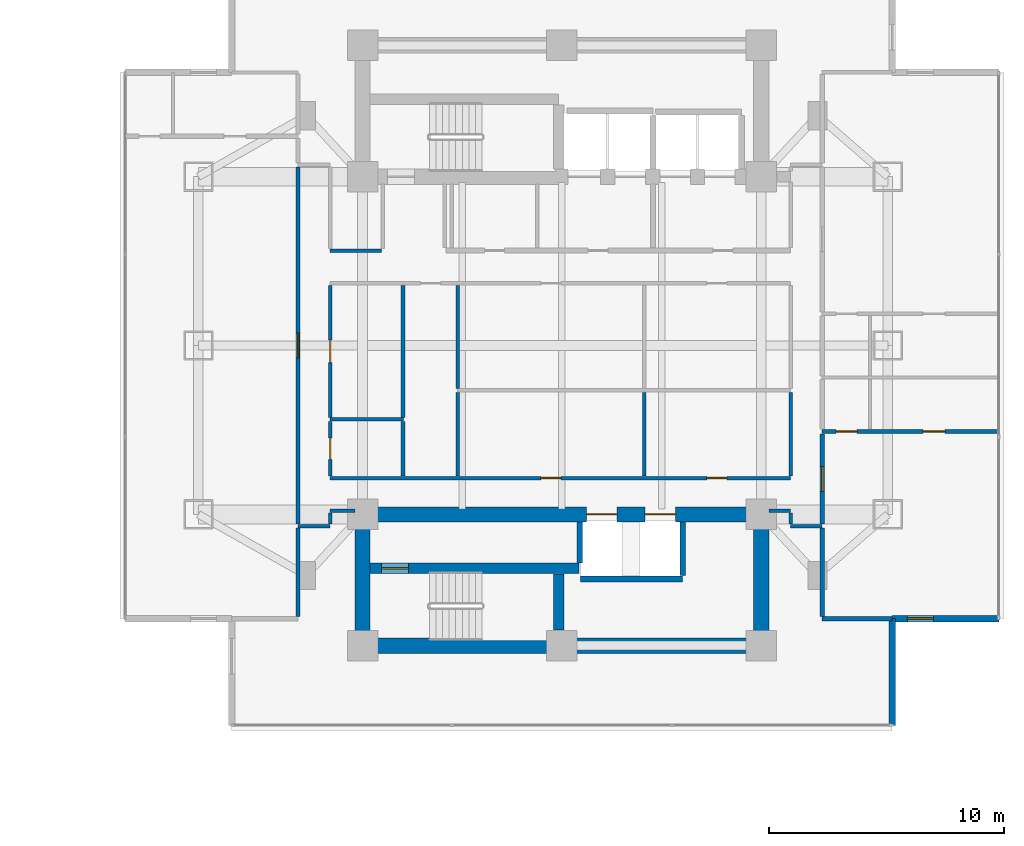
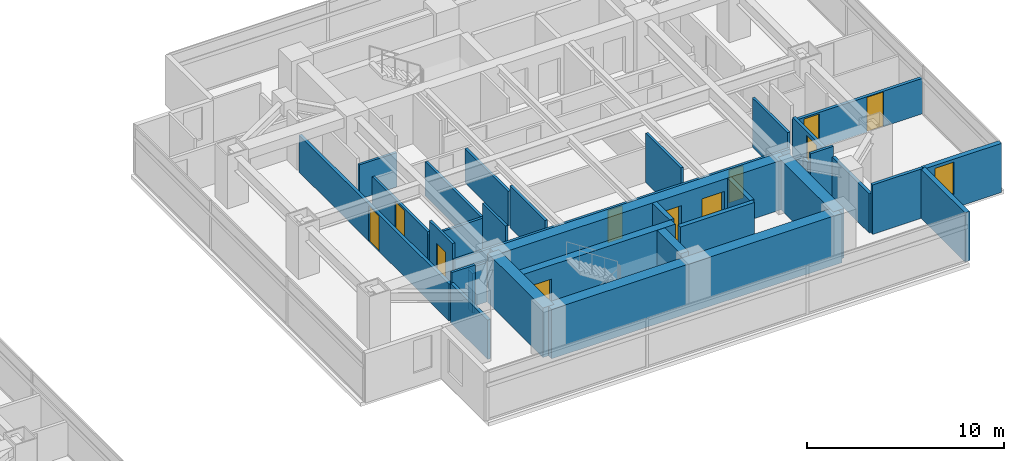
# One storey, part 17 of 24: 34 walls, 11 doors, 1 window, 12 openings.
"""IFC4 building model written with IfcOpenShell, lengths in metres."""

import ifcopenshell
import ifcopenshell.guid

model = None  # the IFC model being written
_history = None  # IfcOwnerHistory: only IFC2X3 demands one
_inside = {}  # id of a spatial element -> (the spatial element, [elements in it])
_under = {}  # id of a project, library or spatial element -> (it, [spatial elements below it])
_declared = {}  # id of a project -> (the project, [libraries it declares])
_typed = {}  # id of a type object -> (the type object, [elements of that type])
_made_of = {}  # id of a material, layer set ... -> (it, [elements and type objects made of it])


def new_model(schema):
    """Start an empty IFC model of exactly this schema.

    Asked for "IFC4X3", IfcOpenShell would pick the latest addendum, in which some entities
    have other attributes; the version numbers below select the first issue.
    IFC2X3 requires an IfcOwnerHistory on every rooted entity: one is made here for all.
    """
    global model, _history
    if schema == "IFC4X3":
        model = ifcopenshell.file(schema_version=(4, 3, 0, 0))
    else:
        model = ifcopenshell.file(schema=schema)
    _inside.clear()
    _under.clear()
    _declared.clear()
    _typed.clear()
    _made_of.clear()
    _history = None
    if model.schema == "IFC2X3":
        org = make("IfcOrganization", Name="unknown")
        user = make(
            "IfcPersonAndOrganization",
            ThePerson=make("IfcPerson", FamilyName="unknown"),
            TheOrganization=org,
        )
        app = make(
            "IfcApplication",
            ApplicationDeveloper=org,
            Version="unknown",
            ApplicationFullName="unknown",
            ApplicationIdentifier="unknown",
        )
        _history = make(
            "IfcOwnerHistory",
            OwningUser=user,
            OwningApplication=app,
            ChangeAction="ADDED",
            CreationDate=0,
        )
    return model


def make(cls, **values):
    """One entity of the class cls with the attributes given. An attribute that is None is left unset."""
    return model.create_entity(
        cls, **{name: value for name, value in values.items() if value is not None}
    )


def rooted(cls, **values):
    """An entity with a GlobalId (a new one), such as an element, a storey or a relation."""
    return make(cls, GlobalId=ifcopenshell.guid.new(), OwnerHistory=_history, **values)


def si_unit(unit_type, name, prefix=None):
    """IfcSIUnit, for example si_unit("LENGTHUNIT", "METRE", prefix="MILLI")."""
    return make("IfcSIUnit", UnitType=unit_type, Prefix=prefix, Name=name)


def assignment(units):
    """IfcUnitAssignment: the units of a project."""
    return None if units is None else make("IfcUnitAssignment", Units=units)


def point(xyz):
    """IfcCartesianPoint."""
    return None if xyz is None else make("IfcCartesianPoint", Coordinates=xyz)


def direction(xyz):
    """IfcDirection."""
    return None if xyz is None else make("IfcDirection", DirectionRatios=xyz)


def frame(location, z_axis=None, x_axis=None):
    """IfcAxis2Placement3D, a coordinate frame: its origin and axes. An axis left out is left unset."""
    return make(
        "IfcAxis2Placement3D",
        Location=point(location),
        Axis=direction(z_axis),
        RefDirection=direction(x_axis),
    )


def frame_2d(location, x_axis=None):
    """IfcAxis2Placement2D, a coordinate frame in the plane: its origin and x axis."""
    return make(
        "IfcAxis2Placement2D", Location=point(location), RefDirection=direction(x_axis)
    )


def origin():
    """The frame at (0, 0, 0) with its axes left unset."""
    return frame((0.0, 0.0, 0.0))


def place(relative_to, where):
    """IfcLocalPlacement: puts the frame where relative to a parent placement (None: the world)."""
    return make(
        "IfcLocalPlacement", PlacementRelTo=relative_to, RelativePlacement=where
    )


def context(
    kind, dimensions, precision=None, world=None, true_north=None, identifier=None
):
    """IfcGeometricRepresentationContext, for example the 3D "Model" context."""
    return make(
        "IfcGeometricRepresentationContext",
        ContextIdentifier=identifier,
        ContextType=kind,
        CoordinateSpaceDimension=dimensions,
        Precision=precision,
        WorldCoordinateSystem=world,
        TrueNorth=true_north,
    )


def subcontext(parent, identifier, kind, view, scale=None):
    """IfcGeometricRepresentationSubContext, for example "Body" below "Model"."""
    return make(
        "IfcGeometricRepresentationSubContext",
        ContextIdentifier=identifier,
        ContextType=kind,
        ParentContext=parent,
        TargetScale=scale,
        TargetView=view,
    )


def project(units=None, contexts=None):
    """IfcProject with its units and contexts."""
    return rooted(
        "IfcProject",
        Name="project",
        RepresentationContexts=contexts,
        UnitsInContext=assignment(units),
    )


def spatial(cls, under=None, at=None, **own):
    """A site, building, storey or space (cls), placed at a placement, below another one or the project."""
    s = rooted(cls, ObjectPlacement=at, **own)
    if under is not None:
        _under.setdefault(under.id(), (under, []))[1].append(s)
    return s


def profile(cls, at=None, kind="AREA", **sizes):
    """A parametric profile (cls). Its sizes go by their IFC names, for example OverallWidth=200.0."""
    return make(cls, ProfileType=kind, Position=at, **sizes)


def rectangle(**sizes):
    """IfcRectangleProfileDef."""
    return profile("IfcRectangleProfileDef", **sizes)


def extrude(swept, where, along, depth):
    """IfcExtrudedAreaSolid: the profile swept, set in the frame where, extruded along a direction by depth."""
    return make(
        "IfcExtrudedAreaSolid",
        SweptArea=swept,
        Position=where,
        ExtrudedDirection=direction(along),
        Depth=depth,
    )


def shape(context_of_items, identifier, shape_type, items):
    """IfcShapeRepresentation: the items that make up one representation, for example the "Body"."""
    return make(
        "IfcShapeRepresentation",
        ContextOfItems=context_of_items,
        RepresentationIdentifier=identifier,
        RepresentationType=shape_type,
        Items=items,
    )


def material(Name=None, Category=None):
    """IfcMaterial."""
    return make("IfcMaterial", Name=Name, Category=Category)


def layer(
    of_material, thickness, ventilated=None, Name=None, Category=None, Priority=None
):
    """IfcMaterialLayer: one layer of a wall or slab, of a material (None: an air gap)."""
    return make(
        "IfcMaterialLayer",
        Material=of_material,
        LayerThickness=thickness,
        IsVentilated=ventilated,
        Name=Name,
        Category=Category,
        Priority=Priority,
    )


def layer_set(layers, Name=None):
    """IfcMaterialLayerSet."""
    return make("IfcMaterialLayerSet", MaterialLayers=layers, LayerSetName=Name)


def made_of(thing, what):
    """Note that an element or type object is made of a material, layer set ...; save() writes the relation."""
    if what is not None:
        _made_of.setdefault(what.id(), (what, []))[1].append(thing)
    return thing


def type_object(cls, material=None, **own):
    """A type object (cls), such as IfcWallType, which elements share."""
    return made_of(rooted(cls, **own), material)


def element(
    cls,
    number,
    at=None,
    inside=None,
    cuts=None,
    type_object=None,
    material=None,
    context=None,
    identifier="Body",
    shape_type=None,
    held_by="IfcProductDefinitionShape",
    body=None,
    shapes=None,
    **own,
):
    """One element of the class cls, such as IfcWall. Its Tag is "e" and its number.

    at: its placement. inside: the storey or other place that contains it. cuts: it is an
    opening in that element (IfcRelVoidsElement). A single representation is given by context,
    identifier, shape_type and body (its items); several are given by shapes. held_by: the class
    of the entity that holds the representations. save() writes the other relations.
    """
    e = rooted(cls, Tag="e%d" % number, ObjectPlacement=at, **own)
    if body is not None:
        shapes = [shape(context, identifier, shape_type, body)]
    if shapes is not None:
        e.Representation = make(held_by, Representations=shapes)
    if inside is not None:
        _inside.setdefault(inside.id(), (inside, []))[1].append(e)
    if cuts is not None:
        rooted(
            "IfcRelVoidsElement", RelatingBuildingElement=cuts, RelatedOpeningElement=e
        )
    if type_object is not None:
        _typed.setdefault(type_object.id(), (type_object, []))[1].append(e)
    return made_of(e, material)


def fill(opening, filler):
    """IfcRelFillsElement: the door or window that sits in an opening."""
    return rooted(
        "IfcRelFillsElement",
        RelatingOpeningElement=opening,
        RelatedBuildingElement=filler,
    )


def aggregate(whole, parts):
    """IfcRelAggregates: a whole, such as a stair, and the parts it consists of."""
    return rooted("IfcRelAggregates", RelatingObject=whole, RelatedObjects=parts)


def save(model, path):
    """Write the relations noted so far, then the file.

    IfcRelAggregates (storeys below a building ...), IfcRelContainedInSpatialStructure (elements
    in a storey), IfcRelDefinesByType, IfcRelAssociatesMaterial and IfcRelDeclares: one each for
    every whole, place, type object, material and project.
    """
    for whole, parts in _under.values():
        aggregate(whole, parts)
    for where, things in _inside.values():
        rooted(
            "IfcRelContainedInSpatialStructure",
            RelatedElements=things,
            RelatingStructure=where,
        )
    for kind, things in _typed.values():
        rooted("IfcRelDefinesByType", RelatedObjects=things, RelatingType=kind)
    for what, things in _made_of.values():
        rooted("IfcRelAssociatesMaterial", RelatedObjects=things, RelatingMaterial=what)
    for by, libraries in _declared.values():
        rooted("IfcRelDeclares", RelatingContext=by, RelatedDefinitions=libraries)
    model.write(path)


model = new_model("IFC4")

# Units and contexts
model_context = context("Model", 3, precision=1e-05, world=origin(), true_north=direction((0.0, 1.0)))
body_context = subcontext(model_context, "Body", "Model", "MODEL_VIEW")
ifc_project = project(units=[si_unit("LENGTHUNIT", "METRE"), si_unit("AREAUNIT", "SQUARE_METRE"), si_unit("VOLUMEUNIT", "CUBIC_METRE"), si_unit("PLANEANGLEUNIT", "RADIAN"), si_unit("MASSUNIT", "GRAM", prefix="KILO")], contexts=[model_context])

# Site, building, storey
site_placement = place(None, origin())
site = spatial("IfcSite", under=ifc_project, at=site_placement, CompositionType="ELEMENT")
building_placement = place(site_placement, origin())
building = spatial("IfcBuilding", under=site, at=building_placement, Name="Mirazonda Arch Towers", CompositionType="ELEMENT")
storey_placement = place(building_placement, frame((0.0, 0.0, 68.60009765625)))
storey = spatial("IfcBuildingStorey", under=building, at=storey_placement, Name="L19", CompositionType="ELEMENT", Elevation=68.60009765625)

# Wall, opening, door
ifc_material_1 = material(Name="Concrete C50/60", Category="concrete")
ifc_layer_1 = layer(ifc_material_1, 0.449951171875, Name="WALL-CORE-450")
ifc_layer_set_1 = layer_set([ifc_layer_1], Name="Concrete C50/60")
wall_type_1 = type_object("IfcWallType", Name="WALL-CORE-450", PredefinedType="SHEAR", material=ifc_layer_set_1)
wall_1_placement = place(storey_placement, frame((68.320068359375, 18.5, 0.0), z_axis=(0.0, 0.0, 1.0), x_axis=(1.0, 0.0, 0.0)))
wall_1 = element("IfcWall", 1, at=wall_1_placement, inside=storey, type_object=wall_type_1, Name="L19 Stair Core Shear Wall 014", PredefinedType="SHEAR", context=body_context, shape_type="SweptSolid", body=[
    extrude(rectangle(XDim=8.89990234375, YDim=0.449951171875, at=frame_2d((4.449951171875, 0.0))), origin(), (0.0, 0.0, 1.0), 3.059814453125),
])
opening_1_placement = place(wall_1_placement, frame((0.4951171875, 0.0, 0.0)))
opening_1 = element("IfcOpeningElement", 2, at=opening_1_placement, cuts=wall_1, Name="Opening DR-135", PredefinedType="OPENING", context=body_context, shape_type="SweptSolid", body=[
    extrude(rectangle(XDim=1.14990234375, YDim=2.199951171875, at=frame_2d((0.574951171875, 1.10009765625))), frame((0.0, 0.23486328125, 0.0), z_axis=(0.0, -1.0, 0.0), x_axis=(1.0, 0.0, 0.0)), (0.0, 0.0, 1.0), 0.469970703125),
])
ifc_material_2 = material(Name="Architectural Brushed Steel S355", Category="steel")
door_type_1 = type_object("IfcDoorType", Name="DOOR-STAIR-FD90-1150", OperationType="NOTDEFINED", PredefinedType="DOOR", material=ifc_material_2)
door_1_placement = place(opening_1_placement, origin())
door_1 = element("IfcDoor", 3, at=door_1_placement, inside=storey, type_object=door_type_1, Name="L19 East Protected Stair South Door", OperationType="SINGLE_SWING_RIGHT", OverallHeight=2.199951171875, OverallWidth=1.14990234375, PredefinedType="DOOR", context=body_context, shape_type="SweptSolid", body=[
    extrude(rectangle(XDim=1.14990234375, YDim=2.199951171875, at=frame_2d((0.574951171875, 1.10009765625))), frame((0.0, 0.02490234375, 0.0), z_axis=(0.0, -1.0, 0.0), x_axis=(1.0, 0.0, 0.0)), (0.0, 0.0, 1.0), 0.050048828125),
])
fill(opening_1, door_1)

# Walls
wall_2_placement = place(storey_placement, frame((76.360107421875, 15.864990234375, 0.0), z_axis=(0.0, 0.0, 1.0), x_axis=(0.0, 1.0, 0.0)))
element("IfcWall", 4, at=wall_2_placement, inside=storey, type_object=wall_type_1, Name="L19 Stair Core Shear Wall 136", PredefinedType="SHEAR", context=body_context, shape_type="SweptSolid", body=[
    extrude(rectangle(XDim=2.39990234375, YDim=0.449951171875, at=frame_2d((1.199951171875, 0.0))), origin(), (0.0, 0.0, 1.0), 3.059814453125),
])
ifc_material_3 = material(Name="Concrete C60/75", Category="concrete")
ifc_layer_2 = layer(ifc_material_3, 0.64990234375, Name="WALL-CORE-650")
ifc_layer_set_2 = layer_set([ifc_layer_2], Name="Concrete C60/75")
wall_type_2 = type_object("IfcWallType", Name="WALL-CORE-650", PredefinedType="SHEAR", material=ifc_layer_set_2)
wall_3_placement = place(storey_placement, frame((68.0, 15.199951171875, 0.0), z_axis=(0.0, 0.0, 1.0), x_axis=(1.0, 0.0, 0.0)))
element("IfcWall", 5, at=wall_3_placement, inside=storey, type_object=wall_type_2, Name="L19 T2S-S Core Shear Wall", PredefinedType="SHEAR", context=body_context, shape_type="SweptSolid", body=[
    extrude(rectangle(XDim=17.0, YDim=0.64990234375, at=frame_2d((8.5, 0.0))), origin(), (0.0, 0.0, 1.0), 3.059814453125),
])
for number, where, z_axis, x_axis, name in (
    (6, (68.0, 15.199951171875, 0.0), (0.0, 0.0, 1.0), (0.0, 1.0, 0.0), "L19 T2S-W Core Shear Wall"),
    (7, (85.0, 15.199951171875, 0.0), (0.0, 0.0, 1.0), (0.0, 1.0, 0.0), "L19 T2S-E Core Shear Wall"),
):
    element("IfcWall", number, at=place(storey_placement, frame(where, z_axis=z_axis, x_axis=x_axis)), inside=storey, type_object=wall_type_2, Name=name, PredefinedType="SHEAR", context=body_context, shape_type="SweptSolid", body=[
        extrude(rectangle(XDim=5.60009765625, YDim=0.64990234375, at=frame_2d((2.800048828125, 0.0))), origin(), (0.0, 0.0, 1.0), 3.059814453125),
    ])

# Wall, openings, doors
wall_4_placement = place(storey_placement, frame((68.0, 20.800048828125, 0.0), z_axis=(0.0, 0.0, 1.0), x_axis=(1.0, 0.0, 0.0)))
wall_4 = element("IfcWall", 8, at=wall_4_placement, inside=storey, type_object=wall_type_2, Name="L19 T2S-N Core Shear Wall", PredefinedType="SHEAR", context=body_context, shape_type="SweptSolid", body=[
    extrude(rectangle(XDim=17.0, YDim=0.64990234375, at=frame_2d((8.5, 0.0))), origin(), (0.0, 0.0, 1.0), 3.059814453125),
])
opening_2_placement = place(wall_4_placement, frame((9.550048828125, 0.0, 0.0)))
opening_2 = element("IfcOpeningElement", 9, at=opening_2_placement, cuts=wall_4, Name="Opening LD-111", PredefinedType="OPENING", context=body_context, shape_type="SweptSolid", body=[
    extrude(rectangle(XDim=1.300048828125, YDim=2.300048828125, at=frame_2d((0.64990234375, 1.14990234375))), frame((0.0, 0.3349609375, 0.0), z_axis=(0.0, -1.0, 0.0), x_axis=(1.0, 0.0, 0.0)), (0.0, 0.0, 1.0), 0.669921875),
])
opening_3_placement = place(wall_4_placement, frame((12.050048828125, 0.0, 0.0)))
opening_3 = element("IfcOpeningElement", 10, at=opening_3_placement, cuts=wall_4, Name="Opening LD-111", PredefinedType="OPENING", context=body_context, shape_type="SweptSolid", body=[
    extrude(rectangle(XDim=1.300048828125, YDim=2.300048828125, at=frame_2d((0.64990234375, 1.14990234375))), frame((0.0, 0.3349609375, 0.0), z_axis=(0.0, -1.0, 0.0), x_axis=(1.0, 0.0, 0.0)), (0.0, 0.0, 1.0), 0.669921875),
])
door_type_2 = type_object("IfcDoorType", Name="DOOR-LIFT-LAND-1300", OperationType="NOTDEFINED", PredefinedType="DOOR", material=ifc_material_2)
door_2_placement = place(opening_2_placement, origin())
door_2 = element("IfcDoor", 11, at=door_2_placement, inside=storey, type_object=door_type_2, Name="L19 Lift Landing Sliding Door PL-T2H1", OperationType="DOUBLE_DOOR_SLIDING", OverallHeight=2.300048828125, OverallWidth=1.300048828125, PredefinedType="DOOR", context=body_context, shape_type="SweptSolid", body=[
    extrude(rectangle(XDim=1.300048828125, YDim=2.300048828125, at=frame_2d((0.64990234375, 1.14990234375))), frame((0.0, 0.02490234375, 0.0), z_axis=(0.0, -1.0, 0.0), x_axis=(1.0, 0.0, 0.0)), (0.0, 0.0, 1.0), 0.050048828125),
])
fill(opening_2, door_2)
door_3_placement = place(opening_3_placement, origin())
door_3 = element("IfcDoor", 12, at=door_3_placement, inside=storey, type_object=door_type_2, Name="L19 Lift Landing Sliding Door PL-T2H2", OperationType="DOUBLE_DOOR_SLIDING", OverallHeight=2.300048828125, OverallWidth=1.300048828125, PredefinedType="DOOR", context=body_context, shape_type="SweptSolid", body=[
    extrude(rectangle(XDim=1.300048828125, YDim=2.300048828125, at=frame_2d((0.64990234375, 1.14990234375))), frame((0.0, 0.02490234375, 0.0), z_axis=(0.0, -1.0, 0.0), x_axis=(1.0, 0.0, 0.0)), (0.0, 0.0, 1.0), 0.050048828125),
])
fill(opening_3, door_3)

# Wall, opening, window
ifc_material_4 = material(Name="Precast Concrete C40/50", Category="concrete")
ifc_layer_3 = layer(ifc_material_4, 0.280029296875, Name="WALL-EXT-WALL-280")
ifc_layer_set_3 = layer_set([ifc_layer_3], Name="Precast Concrete C40/50")
wall_type_3 = type_object("IfcWallType", Name="WALL-EXT-WALL-280", PredefinedType="SOLIDWALL", material=ifc_layer_set_3)
wall_5_placement = place(storey_placement, frame((90.583984375, 16.353515625, 0.0), z_axis=(0.0, 0.0, 1.0), x_axis=(1.0, 0.0, 0.0)))
wall_5 = element("IfcWall", 13, at=wall_5_placement, inside=storey, type_object=wall_type_3, Name="L19 T2 Corner Notch Return Wall WL-L19-T2-CSE1", PredefinedType="SOLIDWALL", context=body_context, shape_type="SweptSolid", body=[
    extrude(rectangle(XDim=4.5458984375, YDim=0.280029296875, at=frame_2d((2.27294921875, 0.0))), origin(), (0.0, 0.0, 1.0), 3.039794921875),
])
opening_4_placement = place(wall_5_placement, frame((0.64990234375, 0.0, 0.85009765625)))
opening_4 = element("IfcOpeningElement", 14, at=opening_4_placement, cuts=wall_5, Name="Opening WN-108", PredefinedType="OPENING", context=body_context, shape_type="SweptSolid", body=[
    extrude(rectangle(XDim=1.10009765625, YDim=2.0, at=frame_2d((0.550048828125, 1.0))), frame((0.0, 0.14990234375, 0.0), z_axis=(0.0, -1.0, 0.0), x_axis=(1.0, 0.0, 0.0)), (0.0, 0.0, 1.0), 0.300048828125),
])
ifc_material_5 = material(Name="Insulated Low-E Solar Glass", Category="glass")
window_type = type_object("IfcWindowType", Name="WIN-NOTCH-1100x2000", PartitioningType="SINGLE_PANEL", PredefinedType="WINDOW", material=ifc_material_5)
window_placement = place(opening_4_placement, origin())
window = element("IfcWindow", 15, at=window_placement, inside=storey, type_object=window_type, Name="L19 Punched Facade Window WN-L19-T2-CSE1", OverallHeight=2.0, OverallWidth=1.10009765625, PartitioningType="SINGLE_PANEL", PredefinedType="WINDOW", context=body_context, shape_type="SweptSolid", body=[
    extrude(rectangle(XDim=1.10009765625, YDim=2.0, at=frame_2d((0.550048828125, 1.0))), frame((0.0, 0.030029296875, 0.0), z_axis=(0.0, -1.0, 0.0), x_axis=(1.0, 0.0, 0.0)), (0.0, 0.0, 1.0), 0.06005859375),
])
fill(opening_4, window)

# Walls
wall_6_placement = place(storey_placement, frame((90.583984375, 11.8076171875, 0.0), z_axis=(0.0, 0.0, 1.0), x_axis=(0.0, 1.0, 0.0)))
element("IfcWall", 16, at=wall_6_placement, inside=storey, type_object=wall_type_3, Name="L19 T2 Corner Notch Return Wall WL-L19-T2-CSE2", PredefinedType="SOLIDWALL", context=body_context, shape_type="SweptSolid", body=[
    extrude(rectangle(XDim=4.5458984375, YDim=0.280029296875, at=frame_2d((2.27294921875, 0.0))), origin(), (0.0, 0.0, 1.0), 3.039794921875),
])
ifc_material_6 = material(Name="Fire-Rated Gypsum Stud Partition")
ifc_layer_4 = layer(ifc_material_6, 0.14990234375, Name="WALL-PART-CORR-150")
ifc_layer_set_4 = layer_set([ifc_layer_4], Name="Fire-Rated Gypsum Stud Partition")
wall_type_4 = type_object("IfcWallType", Name="WALL-PART-CORR-150", PredefinedType="PARTITIONING", material=ifc_layer_set_4)
wall_7_placement = place(storey_placement, frame((65.25, 20.300048828125, 0.0), z_axis=(0.0, 0.0, 1.0), x_axis=(1.0, 0.0, 0.0)))
element("IfcWall", 17, at=wall_7_placement, inside=storey, type_object=wall_type_4, Name="L19 Interior Partition 017", PredefinedType="PARTITIONING", context=body_context, shape_type="SweptSolid", body=[
    extrude(rectangle(XDim=1.3701171875, YDim=0.14990234375, at=frame_2d((0.68505859375, 0.0))), origin(), (0.0, 0.0, 1.0), 3.059814453125),
])
wall_8_placement = place(storey_placement, frame((86.25, 20.300048828125, 0.0), z_axis=(0.0, 0.0, 1.0), x_axis=(1.0, 0.0, 0.0)))
element("IfcWall", 18, at=wall_8_placement, inside=storey, type_object=wall_type_4, Name="L19 Interior Partition 018", PredefinedType="PARTITIONING", context=body_context, shape_type="SweptSolid", body=[
    extrude(rectangle(XDim=1.35009765625, YDim=0.14990234375, at=frame_2d((0.675048828125, 0.0))), origin(), (0.0, 0.0, 1.0), 3.059814453125),
])
wall_9_placement = place(storey_placement, frame((66.6201171875, 20.949951171875, 0.0), z_axis=(0.0, 0.0, 1.0), x_axis=(1.0, 0.0, 0.0)))
element("IfcWall", 19, at=wall_9_placement, inside=storey, type_object=wall_type_4, Name="L19 Interior Partition 019", PredefinedType="PARTITIONING", context=body_context, shape_type="SweptSolid", body=[
    extrude(rectangle(XDim=1.059814453125, YDim=0.14990234375, at=frame_2d((0.52978515625, 0.0))), origin(), (0.0, 0.0, 1.0), 2.451904296875),
])
wall_10_placement = place(storey_placement, frame((85.320068359375, 20.949951171875, 0.0), z_axis=(0.0, 0.0, 1.0), x_axis=(1.0, 0.0, 0.0)))
element("IfcWall", 20, at=wall_10_placement, inside=storey, type_object=wall_type_4, Name="L19 Interior Partition 020", PredefinedType="PARTITIONING", context=body_context, shape_type="SweptSolid", body=[
    extrude(rectangle(XDim=0.929931640625, YDim=0.14990234375, at=frame_2d((0.46484375, 0.0))), origin(), (0.0, 0.0, 1.0), 2.451904296875),
])

# Wall, openings, doors
wall_11_placement = place(storey_placement, frame((66.6201171875, 22.35009765625, 0.0), z_axis=(0.0, 0.0, 1.0), x_axis=(1.0, 0.0, 0.0)))
wall_11 = element("IfcWall", 21, at=wall_11_placement, inside=storey, type_object=wall_type_4, Name="L19 Interior Partition 023", PredefinedType="PARTITIONING", context=body_context, shape_type="SweptSolid", body=[
    extrude(rectangle(XDim=19.6298828125, YDim=0.14990234375, at=frame_2d((9.81494140625, 0.0))), origin(), (0.0, 0.0, 1.0), 2.125),
])
opening_5_placement = place(wall_11_placement, frame((8.98095703125, 0.0, 0.0)))
opening_5 = element("IfcOpeningElement", 22, at=opening_5_placement, cuts=wall_11, Name="Opening DR-128", PredefinedType="OPENING", context=body_context, shape_type="SweptSolid", body=[
    extrude(rectangle(XDim=0.85009765625, YDim=2.010009765625, at=frame_2d((0.425048828125, 1.0048828125))), frame((0.0, 0.0849609375, 0.0), z_axis=(0.0, -1.0, 0.0), x_axis=(1.0, 0.0, 0.0)), (0.0, 0.0, 1.0), 0.169921875),
])
opening_6_placement = place(wall_11_placement, frame((16.06103515625, 0.0, 0.0)))
opening_6 = element("IfcOpeningElement", 23, at=opening_6_placement, cuts=wall_11, Name="Opening DR-128", PredefinedType="OPENING", context=body_context, shape_type="SweptSolid", body=[
    extrude(rectangle(XDim=0.85009765625, YDim=2.010009765625, at=frame_2d((0.425048828125, 1.0048828125))), frame((0.0, 0.0849609375, 0.0), z_axis=(0.0, -1.0, 0.0), x_axis=(1.0, 0.0, 0.0)), (0.0, 0.0, 1.0), 0.169921875),
])
door_type_3 = type_object("IfcDoorType", Name="DOOR-RISER-FD60-850", OperationType="NOTDEFINED", PredefinedType="DOOR", material=ifc_material_2)
door_4_placement = place(opening_5_placement, origin())
door_4 = element("IfcDoor", 24, at=door_4_placement, inside=storey, type_object=door_type_3, Name="L19 Executive Club Lounge Door", OperationType="SINGLE_SWING_LEFT", OverallHeight=2.010009765625, OverallWidth=0.85009765625, PredefinedType="DOOR", context=body_context, shape_type="SweptSolid", body=[
    extrude(rectangle(XDim=0.85009765625, YDim=2.010009765625, at=frame_2d((0.425048828125, 1.0048828125))), frame((0.0, 0.02490234375, 0.0), z_axis=(0.0, -1.0, 0.0), x_axis=(1.0, 0.0, 0.0)), (0.0, 0.0, 1.0), 0.050048828125),
])
fill(opening_5, door_4)
door_5_placement = place(opening_6_placement, origin())
door_5 = element("IfcDoor", 25, at=door_5_placement, inside=storey, type_object=door_type_3, Name="L19 Business Reading Study Door", OperationType="SINGLE_SWING_RIGHT", OverallHeight=2.010009765625, OverallWidth=0.85009765625, PredefinedType="DOOR", context=body_context, shape_type="SweptSolid", body=[
    extrude(rectangle(XDim=0.85009765625, YDim=2.010009765625, at=frame_2d((0.425048828125, 1.0048828125))), frame((0.0, 0.02490234375, 0.0), z_axis=(0.0, -1.0, 0.0), x_axis=(1.0, 0.0, 0.0)), (0.0, 0.0, 1.0), 0.050048828125),
])
fill(opening_6, door_5)

# Walls
wall_12_placement = place(storey_placement, frame((66.6201171875, 24.85009765625, 0.0), z_axis=(0.0, 0.0, 1.0), x_axis=(1.0, 0.0, 0.0)))
element("IfcWall", 26, at=wall_12_placement, inside=storey, type_object=wall_type_4, Name="L19 Interior Partition 027", PredefinedType="PARTITIONING", context=body_context, shape_type="SweptSolid", body=[
    extrude(rectangle(XDim=3.1298828125, YDim=0.14990234375, at=frame_2d((1.56494140625, 0.0))), origin(), (0.0, 0.0, 1.0), 2.125),
])
wall_13_placement = place(storey_placement, frame((66.6201171875, 32.050048828125, 0.0), z_axis=(0.0, 0.0, 1.0), x_axis=(1.0, 0.0, 0.0)))
element("IfcWall", 27, at=wall_13_placement, inside=storey, type_object=wall_type_4, Name="L19 Interior Partition 035", PredefinedType="PARTITIONING", context=body_context, shape_type="SweptSolid", body=[
    extrude(rectangle(XDim=2.179931640625, YDim=0.14990234375, at=frame_2d((1.08984375, 0.0))), origin(), (0.0, 0.0, 1.0), 2.125),
])
wall_14_placement = place(storey_placement, frame((66.6201171875, 20.385009765625, 0.0), z_axis=(0.0, 0.0, 1.0), x_axis=(0.0, 1.0, 0.0)))
element("IfcWall", 28, at=wall_14_placement, inside=storey, type_object=wall_type_4, Name="L19 Interior Partition 124", PredefinedType="PARTITIONING", context=body_context, shape_type="SweptSolid", body=[
    extrude(rectangle(XDim=0.47998046875, YDim=0.14990234375, at=frame_2d((0.239990234375, 0.0))), origin(), (0.0, 0.0, 1.0), 2.451904296875),
])

# Wall, opening, door
wall_15_placement = place(storey_placement, frame((66.6201171875, 22.43505859375, 0.0), z_axis=(0.0, 0.0, 1.0), x_axis=(0.0, 1.0, 0.0)))
wall_15 = element("IfcWall", 29, at=wall_15_placement, inside=storey, type_object=wall_type_4, Name="L19 Interior Partition 125", PredefinedType="PARTITIONING", context=body_context, shape_type="SweptSolid", body=[
    extrude(rectangle(XDim=2.329833984375, YDim=0.14990234375, at=frame_2d((1.1650390625, 0.0))), origin(), (0.0, 0.0, 1.0), 3.059814453125),
])
opening_7_placement = place(wall_15_placement, frame((0.715087890625, 0.0, 0.0)))
opening_7 = element("IfcOpeningElement", 30, at=opening_7_placement, cuts=wall_15, Name="Opening DR-120", PredefinedType="OPENING", context=body_context, shape_type="SweptSolid", body=[
    extrude(rectangle(XDim=0.89990234375, YDim=2.10009765625, at=frame_2d((0.449951171875, 1.050048828125))), frame((0.0, 0.0849609375, 0.0), z_axis=(0.0, -1.0, 0.0), x_axis=(1.0, 0.0, 0.0)), (0.0, 0.0, 1.0), 0.169921875),
])
door_type_4 = type_object("IfcDoorType", Name="DOOR-WC-900", OperationType="NOTDEFINED", PredefinedType="DOOR", material=ifc_material_2)
door_6_placement = place(opening_7_placement, origin())
door_6 = element("IfcDoor", 31, at=door_6_placement, inside=storey, type_object=door_type_4, Name="L19 Tower 2 Common Accessible WC Door", OperationType="SINGLE_SWING_LEFT", OverallHeight=2.10009765625, OverallWidth=0.89990234375, PredefinedType="DOOR", context=body_context, shape_type="SweptSolid", body=[
    extrude(rectangle(XDim=0.89990234375, YDim=2.10009765625, at=frame_2d((0.449951171875, 1.050048828125))), frame((0.0, 0.02490234375, 0.0), z_axis=(0.0, -1.0, 0.0), x_axis=(1.0, 0.0, 0.0)), (0.0, 0.0, 1.0), 0.050048828125),
])
fill(opening_7, door_6)

wall_16_placement = place(storey_placement, frame((66.6201171875, 24.93505859375, 0.0), z_axis=(0.0, 0.0, 1.0), x_axis=(0.0, 1.0, 0.0)))
wall_16 = element("IfcWall", 32, at=wall_16_placement, inside=storey, type_object=wall_type_4, Name="L19 Interior Partition 126", PredefinedType="PARTITIONING", context=body_context, shape_type="SweptSolid", body=[
    extrude(rectangle(XDim=5.6298828125, YDim=0.14990234375, at=frame_2d((2.81494140625, 0.0))), origin(), (0.0, 0.0, 1.0), 2.27880859375),
])
opening_8_placement = place(wall_16_placement, frame((2.340087890625, 0.0, 0.0)))
opening_8 = element("IfcOpeningElement", 33, at=opening_8_placement, cuts=wall_16, Name="Opening DR-104", PredefinedType="OPENING", context=body_context, shape_type="SweptSolid", body=[
    extrude(rectangle(XDim=0.949951171875, YDim=2.14990234375, at=frame_2d((0.47509765625, 1.074951171875))), frame((0.0, 0.0849609375, 0.0), z_axis=(0.0, -1.0, 0.0), x_axis=(1.0, 0.0, 0.0)), (0.0, 0.0, 1.0), 0.169921875),
])
door_type_5 = type_object("IfcDoorType", Name="DOOR-ROOM-950", OperationType="NOTDEFINED", PredefinedType="DOOR", material=ifc_material_2)
door_7_placement = place(opening_8_placement, origin())
door_7 = element("IfcDoor", 34, at=door_7_placement, inside=storey, type_object=door_type_5, Name="L19 L19 East Courtyard Reading Study Door", OperationType="SINGLE_SWING_LEFT", OverallHeight=2.14990234375, OverallWidth=0.949951171875, PredefinedType="DOOR", context=body_context, shape_type="SweptSolid", body=[
    extrude(rectangle(XDim=0.949951171875, YDim=2.14990234375, at=frame_2d((0.47509765625, 1.074951171875))), frame((0.0, 0.02490234375, 0.0), z_axis=(0.0, -1.0, 0.0), x_axis=(1.0, 0.0, 0.0)), (0.0, 0.0, 1.0), 0.050048828125),
])
fill(opening_8, door_7)

# Walls
wall_17_placement = place(storey_placement, frame((69.723388671875, 22.43505859375, 0.0), z_axis=(0.0, 0.0, 1.0), x_axis=(0.0, 1.0, 0.0)))
element("IfcWall", 35, at=wall_17_placement, inside=storey, type_object=wall_type_4, Name="L19 Interior Partition 129", PredefinedType="PARTITIONING", context=body_context, shape_type="SweptSolid", body=[
    extrude(rectangle(XDim=2.329833984375, YDim=0.14990234375, at=frame_2d((1.1650390625, 0.0))), origin(), (0.0, 0.0, 1.0), 3.059814453125),
])
wall_18_placement = place(storey_placement, frame((69.723388671875, 24.93505859375, 0.0), z_axis=(0.0, 0.0, 1.0), x_axis=(0.0, 1.0, 0.0)))
element("IfcWall", 36, at=wall_18_placement, inside=storey, type_object=wall_type_4, Name="L19 Interior Partition 130", PredefinedType="PARTITIONING", context=body_context, shape_type="SweptSolid", body=[
    extrude(rectangle(XDim=5.6298828125, YDim=0.14990234375, at=frame_2d((2.81494140625, 0.0))), origin(), (0.0, 0.0, 1.0), 2.125),
])
wall_19_placement = place(storey_placement, frame((72.050048828125, 22.43505859375, 0.0), z_axis=(0.0, 0.0, 1.0), x_axis=(0.0, 1.0, 0.0)))
element("IfcWall", 37, at=wall_19_placement, inside=storey, type_object=wall_type_4, Name="L19 Interior Partition 133", PredefinedType="PARTITIONING", context=body_context, shape_type="SweptSolid", body=[
    extrude(rectangle(XDim=3.56494140625, YDim=0.14990234375, at=frame_2d((1.782470703125, 0.0))), origin(), (0.0, 0.0, 1.0), 2.5888671875),
])
wall_20_placement = place(storey_placement, frame((72.050048828125, 26.169921875, 0.0), z_axis=(0.0, 0.0, 1.0), x_axis=(0.0, 1.0, 0.0)))
element("IfcWall", 38, at=wall_20_placement, inside=storey, type_object=wall_type_4, Name="L19 Interior Partition 134", PredefinedType="PARTITIONING", context=body_context, shape_type="SweptSolid", body=[
    extrude(rectangle(XDim=4.39501953125, YDim=0.14990234375, at=frame_2d((2.197509765625, 0.0))), origin(), (0.0, 0.0, 1.0), 2.125),
])
wall_21_placement = place(storey_placement, frame((80.001953125, 22.43505859375, 0.0), z_axis=(0.0, 0.0, 1.0), x_axis=(0.0, 1.0, 0.0)))
element("IfcWall", 39, at=wall_21_placement, inside=storey, type_object=wall_type_4, Name="L19 Interior Partition 139", PredefinedType="PARTITIONING", context=body_context, shape_type="SweptSolid", body=[
    extrude(rectangle(XDim=3.56494140625, YDim=0.14990234375, at=frame_2d((1.782470703125, 0.0))), origin(), (0.0, 0.0, 1.0), 3.059814453125),
])
wall_22_placement = place(storey_placement, frame((86.25, 20.385009765625, 0.0), z_axis=(0.0, 0.0, 1.0), x_axis=(0.0, 1.0, 0.0)))
element("IfcWall", 40, at=wall_22_placement, inside=storey, type_object=wall_type_4, Name="L19 Interior Partition 145", PredefinedType="PARTITIONING", context=body_context, shape_type="SweptSolid", body=[
    extrude(rectangle(XDim=0.47998046875, YDim=0.14990234375, at=frame_2d((0.239990234375, 0.0))), origin(), (0.0, 0.0, 1.0), 2.451904296875),
])
wall_23_placement = place(storey_placement, frame((86.25, 22.43505859375, 0.0), z_axis=(0.0, 0.0, 1.0), x_axis=(0.0, 1.0, 0.0)))
element("IfcWall", 41, at=wall_23_placement, inside=storey, type_object=wall_type_4, Name="L19 Interior Partition 146", PredefinedType="PARTITIONING", context=body_context, shape_type="SweptSolid", body=[
    extrude(rectangle(XDim=3.56494140625, YDim=0.14990234375, at=frame_2d((1.782470703125, 0.0))), origin(), (0.0, 0.0, 1.0), 3.059814453125),
])
ifc_material_7 = material(Name="Fire-Rated Gypsum Twin-Stud Assembly")
ifc_layer_5 = layer(ifc_material_7, 0.179931640625, Name="WALL-PART-DEMISE-180")
ifc_layer_set_5 = layer_set([ifc_layer_5], Name="Fire-Rated Gypsum Twin-Stud Assembly")
wall_type_5 = type_object("IfcWallType", Name="WALL-PART-DEMISE-180", PredefinedType="PARTITIONING", material=ifc_layer_set_5)
wall_24_placement = place(storey_placement, frame((87.60009765625, 16.35400390625, 0.0), z_axis=(0.0, 0.0, 1.0), x_axis=(1.0, 0.0, 0.0)))
element("IfcWall", 42, at=wall_24_placement, inside=storey, type_object=wall_type_5, Name="L19 Interior Partition 010", PredefinedType="PARTITIONING", context=body_context, shape_type="SweptSolid", body=[
    extrude(rectangle(XDim=2.9638671875, YDim=0.179931640625, at=frame_2d((1.48193359375, 0.0))), origin(), (0.0, 0.0, 1.0), 3.059814453125),
])

# Wall, openings, doors
wall_25_placement = place(storey_placement, frame((87.60009765625, 24.33203125, 0.0), z_axis=(0.0, 0.0, 1.0), x_axis=(1.0, 0.0, 0.0)))
wall_25 = element("IfcWall", 43, at=wall_25_placement, inside=storey, type_object=wall_type_5, Name="L19 Interior Partition 025", PredefinedType="PARTITIONING", context=body_context, shape_type="SweptSolid", body=[
    extrude(rectangle(XDim=7.52978515625, YDim=0.179931640625, at=frame_2d((3.764892578125, 0.0))), origin(), (0.0, 0.0, 1.0), 2.19580078125),
])
opening_9_placement = place(wall_25_placement, frame((4.2900390625, 0.0, 0.0)))
opening_9 = element("IfcOpeningElement", 44, at=opening_9_placement, cuts=wall_25, Name="Opening DR-104", PredefinedType="OPENING", context=body_context, shape_type="SweptSolid", body=[
    extrude(rectangle(XDim=0.949951171875, YDim=2.14990234375, at=frame_2d((0.47509765625, 1.074951171875))), frame((0.0, 0.099853515625, 0.0), z_axis=(0.0, -1.0, 0.0), x_axis=(1.0, 0.0, 0.0)), (0.0, 0.0, 1.0), 0.199951171875),
])
opening_10_placement = place(wall_25_placement, frame((0.590087890625, 0.0, 0.0)))
opening_10 = element("IfcOpeningElement", 45, at=opening_10_placement, cuts=wall_25, Name="Opening DR-120", PredefinedType="OPENING", context=body_context, shape_type="SweptSolid", body=[
    extrude(rectangle(XDim=0.89990234375, YDim=2.10009765625, at=frame_2d((0.449951171875, 1.050048828125))), frame((0.0, 0.099853515625, 0.0), z_axis=(0.0, -1.0, 0.0), x_axis=(1.0, 0.0, 0.0)), (0.0, 0.0, 1.0), 0.199951171875),
])
door_8_placement = place(opening_9_placement, origin())
door_8 = element("IfcDoor", 46, at=door_8_placement, inside=storey, type_object=door_type_5, Name="L19 Suite Bedroom 1 Door", OperationType="SINGLE_SWING_RIGHT", OverallHeight=2.14990234375, OverallWidth=0.949951171875, PredefinedType="DOOR", context=body_context, shape_type="SweptSolid", body=[
    extrude(rectangle(XDim=0.949951171875, YDim=2.14990234375, at=frame_2d((0.47509765625, 1.074951171875))), frame((0.0, 0.02490234375, 0.0), z_axis=(0.0, -1.0, 0.0), x_axis=(1.0, 0.0, 0.0)), (0.0, 0.0, 1.0), 0.050048828125),
])
fill(opening_9, door_8)
door_9_placement = place(opening_10_placement, origin())
door_9 = element("IfcDoor", 47, at=door_9_placement, inside=storey, type_object=door_type_4, Name="L19 Suite En-Suite Bathroom 1 Door", OperationType="SINGLE_SWING_LEFT", OverallHeight=2.10009765625, OverallWidth=0.89990234375, PredefinedType="DOOR", context=body_context, shape_type="SweptSolid", body=[
    extrude(rectangle(XDim=0.89990234375, YDim=2.10009765625, at=frame_2d((0.449951171875, 1.050048828125))), frame((0.0, 0.02490234375, 0.0), z_axis=(0.0, -1.0, 0.0), x_axis=(1.0, 0.0, 0.0)), (0.0, 0.0, 1.0), 0.050048828125),
])
fill(opening_10, door_9)

# Wall
wall_26_placement = place(storey_placement, frame((65.25, 16.4541015625, 0.0), z_axis=(0.0, 0.0, 1.0), x_axis=(0.0, 1.0, 0.0)))
element("IfcWall", 48, at=wall_26_placement, inside=storey, type_object=wall_type_5, Name="L19 Interior Partition 120", PredefinedType="PARTITIONING", context=body_context, shape_type="SweptSolid", body=[
    extrude(rectangle(XDim=3.760986328125, YDim=0.179931640625, at=frame_2d((1.88037109375, 0.0))), origin(), (0.0, 0.0, 1.0), 2.435791015625),
])

# Wall, opening, door
wall_27_placement = place(storey_placement, frame((65.25, 20.385009765625, 0.0), z_axis=(0.0, 0.0, 1.0), x_axis=(0.0, 1.0, 0.0)))
wall_27 = element("IfcWall", 49, at=wall_27_placement, inside=storey, type_object=wall_type_5, Name="L19 Interior Partition 121", PredefinedType="PARTITIONING", context=body_context, shape_type="SweptSolid", body=[
    extrude(rectangle(XDim=15.22998046875, YDim=0.179931640625, at=frame_2d((7.614990234375, 0.0))), origin(), (0.0, 0.0, 1.0), 2.27880859375),
])
opening_11_placement = place(wall_27_placement, frame((7.090087890625, 0.0, 0.0)))
opening_11 = element("IfcOpeningElement", 50, at=opening_11_placement, cuts=wall_27, Name="Opening DR-121", PredefinedType="OPENING", context=body_context, shape_type="SweptSolid", body=[
    extrude(rectangle(XDim=1.050048828125, YDim=2.199951171875, at=frame_2d((0.52490234375, 1.10009765625))), frame((0.0, 0.099853515625, 0.0), z_axis=(0.0, -1.0, 0.0), x_axis=(1.0, 0.0, 0.0)), (0.0, 0.0, 1.0), 0.199951171875),
])
door_type_6 = type_object("IfcDoorType", Name="DOOR-SUITE-FD60-1050", OperationType="NOTDEFINED", PredefinedType="DOOR", material=ifc_material_2)
door_10_placement = place(opening_11_placement, origin())
door_10 = element("IfcDoor", 51, at=door_10_placement, inside=storey, type_object=door_type_6, Name="L19 Presidential Hotel Suite 1 Door", OperationType="SINGLE_SWING_RIGHT", OverallHeight=2.199951171875, OverallWidth=1.050048828125, PredefinedType="DOOR", context=body_context, shape_type="SweptSolid", body=[
    extrude(rectangle(XDim=1.050048828125, YDim=2.199951171875, at=frame_2d((0.52490234375, 1.10009765625))), frame((0.0, 0.02490234375, 0.0), z_axis=(0.0, -1.0, 0.0), x_axis=(1.0, 0.0, 0.0)), (0.0, 0.0, 1.0), 0.050048828125),
])
fill(opening_11, door_10)

# Wall
wall_28_placement = place(storey_placement, frame((87.60009765625, 16.4541015625, 0.0), z_axis=(0.0, 0.0, 1.0), x_axis=(0.0, 1.0, 0.0)))
element("IfcWall", 52, at=wall_28_placement, inside=storey, type_object=wall_type_5, Name="L19 Interior Partition 150", PredefinedType="PARTITIONING", context=body_context, shape_type="SweptSolid", body=[
    extrude(rectangle(XDim=3.760986328125, YDim=0.179931640625, at=frame_2d((1.88037109375, 0.0))), origin(), (0.0, 0.0, 1.0), 2.435791015625),
])

# Wall, opening, door
wall_29_placement = place(storey_placement, frame((87.60009765625, 20.385009765625, 0.0), z_axis=(0.0, 0.0, 1.0), x_axis=(0.0, 1.0, 0.0)))
wall_29 = element("IfcWall", 53, at=wall_29_placement, inside=storey, type_object=wall_type_5, Name="L19 Interior Partition 151", PredefinedType="PARTITIONING", context=body_context, shape_type="SweptSolid", body=[
    extrude(rectangle(XDim=3.846923828125, YDim=0.179931640625, at=frame_2d((1.92333984375, 0.0))), origin(), (0.0, 0.0, 1.0), 2.451904296875),
])
opening_12_placement = place(wall_29_placement, frame((1.3984375, 0.0, 0.0)))
opening_12 = element("IfcOpeningElement", 54, at=opening_12_placement, cuts=wall_29, Name="Opening DR-121", PredefinedType="OPENING", context=body_context, shape_type="SweptSolid", body=[
    extrude(rectangle(XDim=1.050048828125, YDim=2.199951171875, at=frame_2d((0.52490234375, 1.10009765625))), frame((0.0, 0.099853515625, 0.0), z_axis=(0.0, -1.0, 0.0), x_axis=(1.0, 0.0, 0.0)), (0.0, 0.0, 1.0), 0.199951171875),
])
door_11_placement = place(opening_12_placement, origin())
door_11 = element("IfcDoor", 55, at=door_11_placement, inside=storey, type_object=door_type_6, Name="L19 Panoramic Suite Salon 1 Door", OperationType="SINGLE_SWING_LEFT", OverallHeight=2.199951171875, OverallWidth=1.050048828125, PredefinedType="DOOR", context=body_context, shape_type="SweptSolid", body=[
    extrude(rectangle(XDim=1.050048828125, YDim=2.199951171875, at=frame_2d((0.52490234375, 1.10009765625))), frame((0.0, 0.02490234375, 0.0), z_axis=(0.0, -1.0, 0.0), x_axis=(1.0, 0.0, 0.0)), (0.0, 0.0, 1.0), 0.050048828125),
])
fill(opening_12, door_11)

# Walls
ifc_material_8 = material(Name="Concrete C40/50", Category="concrete")
ifc_layer_6 = layer(ifc_material_8, 0.25, Name="WALL-SHAFT-250")
ifc_layer_set_6 = layer_set([ifc_layer_6], Name="Concrete C40/50")
wall_type_6 = type_object("IfcWallType", Name="WALL-SHAFT-250", PredefinedType="SOLIDWALL", material=ifc_layer_set_6)
wall_30_placement = place(storey_placement, frame((77.300048828125, 18.050048828125, 0.0), z_axis=(0.0, 0.0, 1.0), x_axis=(1.0, 0.0, 0.0)))
element("IfcWall", 56, at=wall_30_placement, inside=storey, type_object=wall_type_6, Name="L19 Interior Partition 011", PredefinedType="SOLIDWALL", context=body_context, shape_type="SweptSolid", body=[
    extrude(rectangle(XDim=4.349853515625, YDim=0.25, at=frame_2d((2.1748046875, 0.0))), origin(), (0.0, 0.0, 1.0), 3.059814453125),
])
wall_31_placement = place(storey_placement, frame((77.260009765625, 18.735107421875, 0.0), z_axis=(0.0, 0.0, 1.0), x_axis=(0.0, 1.0, 0.0)))
element("IfcWall", 57, at=wall_31_placement, inside=storey, type_object=wall_type_6, Name="L19 Interior Partition 138", PredefinedType="SOLIDWALL", context=body_context, shape_type="SweptSolid", body=[
    extrude(rectangle(XDim=1.744873046875, YDim=0.25, at=frame_2d((0.87255859375, 0.0))), origin(), (0.0, 0.0, 1.0), 3.059814453125),
])
wall_32_placement = place(storey_placement, frame((81.64990234375, 18.18505859375, 0.0), z_axis=(0.0, 0.0, 1.0), x_axis=(0.0, 1.0, 0.0)))
element("IfcWall", 58, at=wall_32_placement, inside=storey, type_object=wall_type_6, Name="L19 Interior Partition 143", PredefinedType="SOLIDWALL", context=body_context, shape_type="SweptSolid", body=[
    extrude(rectangle(XDim=2.294921875, YDim=0.25, at=frame_2d((1.1474609375, 0.0))), origin(), (0.0, 0.0, 1.0), 3.059814453125),
])

save(model, "model.ifc")
